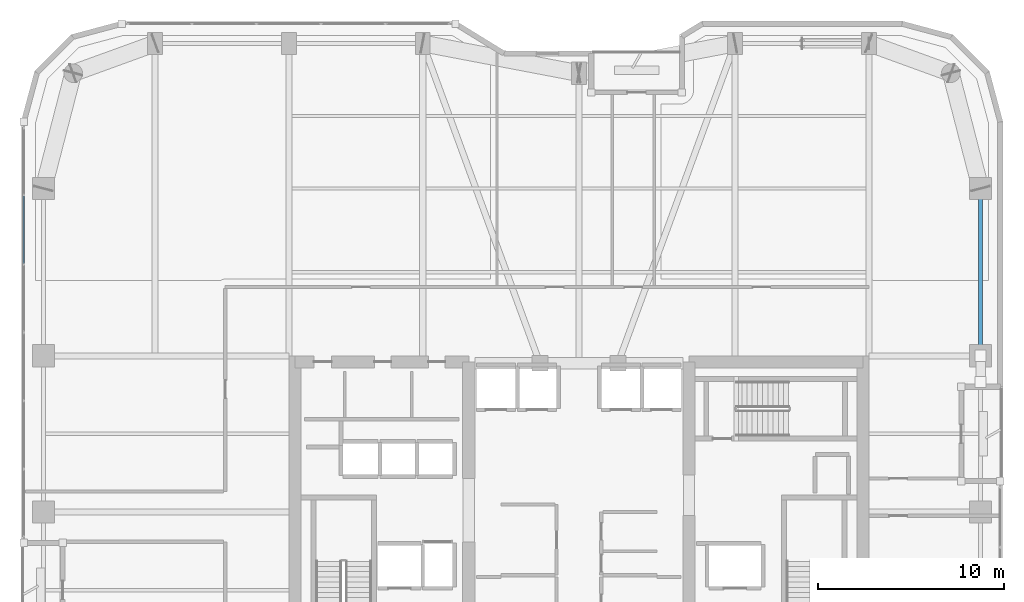
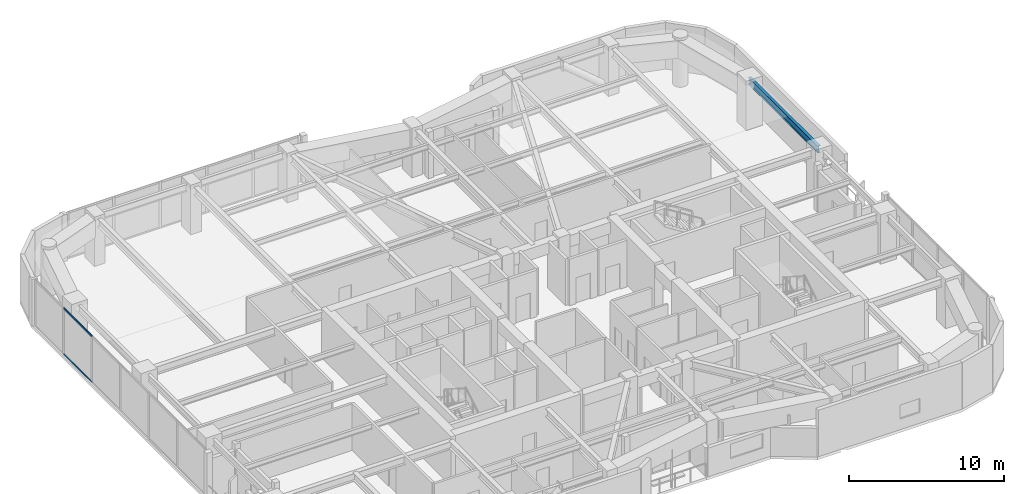
# One storey, part 12 of 30: 2 members, 1 beam, 1 element without a shape of its own.
"""IFC4 building model written with IfcOpenShell, lengths in metres."""

from ifc_helpers import new_model, si_unit, direction, frame, origin, origin_2d, place, context, subcontext, project, spatial, hollow_rectangle, i_section, extrude, material, layer, layer_set, material_profile, profile_set, type_object, element, aggregate, save


model = new_model("IFC4")

# Units and contexts
model_context = context("Model", 3, precision=1e-05, world=origin(), true_north=direction((0.0, 1.0)))
body_context = subcontext(model_context, "Body", "Model", "MODEL_VIEW")
ifc_project = project(units=[si_unit("LENGTHUNIT", "METRE"), si_unit("AREAUNIT", "SQUARE_METRE"), si_unit("VOLUMEUNIT", "CUBIC_METRE"), si_unit("PLANEANGLEUNIT", "RADIAN"), si_unit("MASSUNIT", "GRAM", prefix="KILO")], contexts=[model_context])

# Site, building, storey
site_placement = place(None, origin())
site = spatial("IfcSite", under=ifc_project, at=site_placement, CompositionType="ELEMENT")
building_placement = place(site_placement, origin())
building = spatial("IfcBuilding", under=site, at=building_placement, Name="Kiyonajd Concourse Tower", CompositionType="ELEMENT")
storey_placement = place(building_placement, frame((0.0, 0.0, 201.89990234375)))
storey = spatial("IfcBuildingStorey", under=building, at=storey_placement, Name="L51", CompositionType="ELEMENT", Elevation=201.89990234375)

# Beam
ifc_material_1 = material(Name="Steel ASTM A992 Grade 50", Category="steel")
ifc_material_profile_1 = material_profile(ifc_material_1, i_section(OverallWidth=0.214111328125, OverallDepth=0.549072265625, WebThickness=0.0146484375, FlangeThickness=0.023681640625, at=origin_2d()), Name="W530X138")
ifc_profile_set_1 = profile_set([ifc_material_profile_1], Name="Steel ASTM A992 Grade 50")
beam_type = type_object("IfcBeamType", Name="BM-SPAN-530A", PredefinedType="SPANDREL", material=ifc_profile_set_1)
beam_placement = place(storey_placement, frame((69.60009765625, 44.39990234375, 3.405517578125), z_axis=(0.0, 1.0, 0.0), x_axis=(-1.0, 0.0, 0.0)))
element("IfcBeam", 1, at=beam_placement, inside=storey, type_object=beam_type, Name="L51 Perimeter Bundled Tube Spandrel", PredefinedType="SPANDREL", context=body_context, shape_type="SweptSolid", body=[
    extrude(i_section(OverallWidth=0.214111328125, OverallDepth=0.549072265625, WebThickness=0.0146484375, FlangeThickness=0.023681640625, at=origin_2d()), origin(), (0.0, 0.0, 1.0), 9.0),
])

# Curtain wall, members
ifc_material_2 = material(Name="Thermally Broken Anodised Aluminium", Category="aluminium")
ifc_layer = layer(ifc_material_2, 0.179931640625)
ifc_layer_set = layer_set([ifc_layer], Name="Thermally Broken Anodised Aluminium")
curtain_wall_type = type_object("IfcCurtainWallType", Name="CW-SYS-03", PredefinedType="NOTDEFINED", material=ifc_layer_set)
curtain_wall_placement = place(storey_placement, origin())
curtain_wall = element("IfcCurtainWall", 2, at=curtain_wall_placement, inside=storey, type_object=curtain_wall_type, Name="L51 Unitised Curtain Wall CW3", PredefinedType="NOTDEFINED")
ifc_material_profile_2 = material_profile(ifc_material_2, hollow_rectangle(XDim=0.06494140625, YDim=0.139892578125, WallThickness=0.00390625, at=origin_2d()), Name="TRAN-65x140")
ifc_profile_set_2 = profile_set([ifc_material_profile_2], Name="Thermally Broken Anodised Aluminium")
member_type = type_object("IfcMemberType", Name="MB-CW-TRAN1", PredefinedType="USERDEFINED", material=ifc_profile_set_2)
member_1_placement = place(storey_placement, frame((18.139892578125, 49.3701171875, 0.03271484375), z_axis=(0.0, 1.0, 0.0), x_axis=(-1.0, 0.0, 0.0)))
member_1 = element("IfcMember", 3, at=member_1_placement, type_object=member_type, Name="CW3 transom 5.1", ObjectType="TRANSOM", PredefinedType="USERDEFINED", context=body_context, shape_type="SweptSolid", body=[
    extrude(hollow_rectangle(XDim=0.06494140625, YDim=0.139892578125, WallThickness=0.00390625, at=origin_2d()), origin(), (0.0, 0.0, 1.0), 3.612060546875),
])
member_2_placement = place(storey_placement, frame((18.139892578125, 49.3701171875, 3.647705078125), z_axis=(0.0, 1.0, 0.0), x_axis=(-1.0, 0.0, 0.0)))
member_2 = element("IfcMember", 4, at=member_2_placement, type_object=member_type, Name="CW3 transom 5.2", ObjectType="TRANSOM", PredefinedType="USERDEFINED", context=body_context, shape_type="SweptSolid", body=[
    extrude(hollow_rectangle(XDim=0.06494140625, YDim=0.139892578125, WallThickness=0.00390625, at=origin_2d()), origin(), (0.0, 0.0, 1.0), 3.612060546875),
])
aggregate(curtain_wall, [member_1, member_2])

save(model, "model.ifc")
